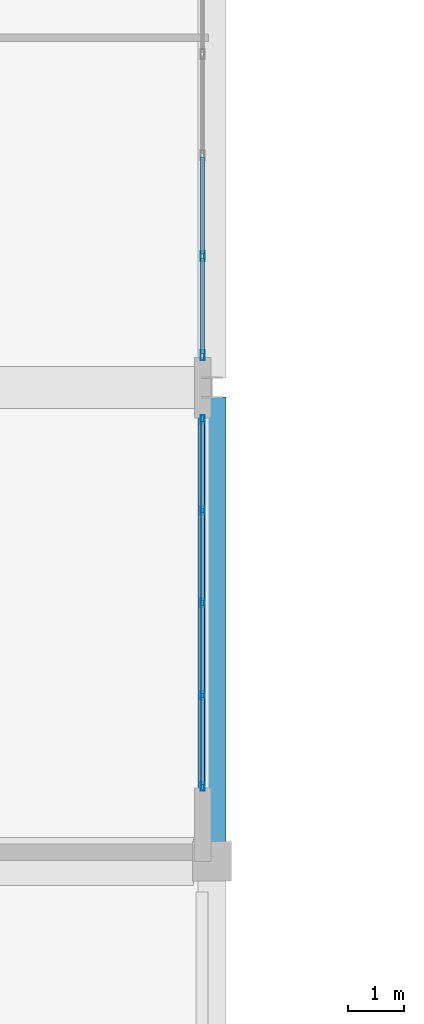
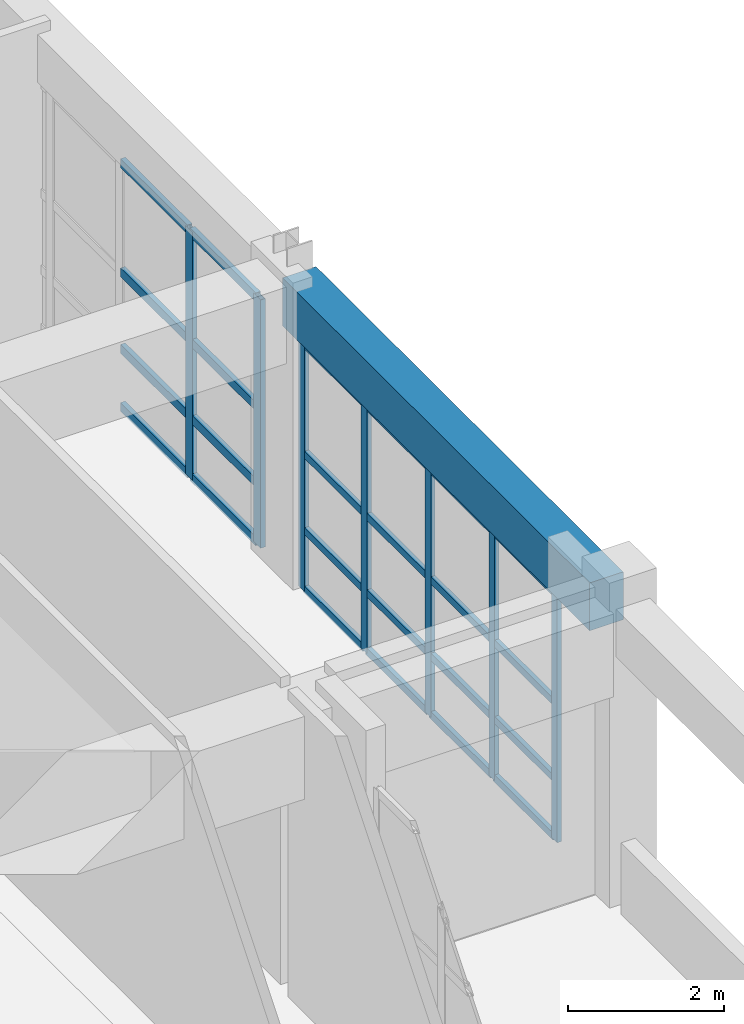
# One storey, part 17 of 78: 31 members, 1 beam, 2 elements without a shape of their own.
"""IFC4 building model written with IfcOpenShell, lengths in metres."""

import ifcopenshell
import ifcopenshell.guid

model = None  # the IFC model being written
_history = None  # IfcOwnerHistory: only IFC2X3 demands one
_inside = {}  # id of a spatial element -> (the spatial element, [elements in it])
_under = {}  # id of a project, library or spatial element -> (it, [spatial elements below it])
_declared = {}  # id of a project -> (the project, [libraries it declares])
_typed = {}  # id of a type object -> (the type object, [elements of that type])
_made_of = {}  # id of a material, layer set ... -> (it, [elements and type objects made of it])


def new_model(schema):
    """Start an empty IFC model of exactly this schema.

    Asked for "IFC4X3", IfcOpenShell would pick the latest addendum, in which some entities
    have other attributes; the version numbers below select the first issue.
    IFC2X3 requires an IfcOwnerHistory on every rooted entity: one is made here for all.
    """
    global model, _history
    if schema == "IFC4X3":
        model = ifcopenshell.file(schema_version=(4, 3, 0, 0))
    else:
        model = ifcopenshell.file(schema=schema)
    _inside.clear()
    _under.clear()
    _declared.clear()
    _typed.clear()
    _made_of.clear()
    _history = None
    if model.schema == "IFC2X3":
        org = make("IfcOrganization", Name="unknown")
        user = make(
            "IfcPersonAndOrganization",
            ThePerson=make("IfcPerson", FamilyName="unknown"),
            TheOrganization=org,
        )
        app = make(
            "IfcApplication",
            ApplicationDeveloper=org,
            Version="unknown",
            ApplicationFullName="unknown",
            ApplicationIdentifier="unknown",
        )
        _history = make(
            "IfcOwnerHistory",
            OwningUser=user,
            OwningApplication=app,
            ChangeAction="ADDED",
            CreationDate=0,
        )
    return model


def make(cls, **values):
    """One entity of the class cls with the attributes given. An attribute that is None is left unset."""
    return model.create_entity(
        cls, **{name: value for name, value in values.items() if value is not None}
    )


def rooted(cls, **values):
    """An entity with a GlobalId (a new one), such as an element, a storey or a relation."""
    return make(cls, GlobalId=ifcopenshell.guid.new(), OwnerHistory=_history, **values)


def si_unit(unit_type, name, prefix=None):
    """IfcSIUnit, for example si_unit("LENGTHUNIT", "METRE", prefix="MILLI")."""
    return make("IfcSIUnit", UnitType=unit_type, Prefix=prefix, Name=name)


def assignment(units):
    """IfcUnitAssignment: the units of a project."""
    return None if units is None else make("IfcUnitAssignment", Units=units)


def point(xyz):
    """IfcCartesianPoint."""
    return None if xyz is None else make("IfcCartesianPoint", Coordinates=xyz)


def direction(xyz):
    """IfcDirection."""
    return None if xyz is None else make("IfcDirection", DirectionRatios=xyz)


def frame(location, z_axis=None, x_axis=None):
    """IfcAxis2Placement3D, a coordinate frame: its origin and axes. An axis left out is left unset."""
    return make(
        "IfcAxis2Placement3D",
        Location=point(location),
        Axis=direction(z_axis),
        RefDirection=direction(x_axis),
    )


def frame_2d(location, x_axis=None):
    """IfcAxis2Placement2D, a coordinate frame in the plane: its origin and x axis."""
    return make(
        "IfcAxis2Placement2D", Location=point(location), RefDirection=direction(x_axis)
    )


def origin():
    """The frame at (0, 0, 0) with its axes left unset."""
    return frame((0.0, 0.0, 0.0))


def origin_2d():
    """The frame at (0, 0) in the plane with its x axis left unset."""
    return frame_2d((0.0, 0.0))


def place(relative_to, where):
    """IfcLocalPlacement: puts the frame where relative to a parent placement (None: the world)."""
    return make(
        "IfcLocalPlacement", PlacementRelTo=relative_to, RelativePlacement=where
    )


def context(
    kind, dimensions, precision=None, world=None, true_north=None, identifier=None
):
    """IfcGeometricRepresentationContext, for example the 3D "Model" context."""
    return make(
        "IfcGeometricRepresentationContext",
        ContextIdentifier=identifier,
        ContextType=kind,
        CoordinateSpaceDimension=dimensions,
        Precision=precision,
        WorldCoordinateSystem=world,
        TrueNorth=true_north,
    )


def subcontext(parent, identifier, kind, view, scale=None):
    """IfcGeometricRepresentationSubContext, for example "Body" below "Model"."""
    return make(
        "IfcGeometricRepresentationSubContext",
        ContextIdentifier=identifier,
        ContextType=kind,
        ParentContext=parent,
        TargetScale=scale,
        TargetView=view,
    )


def project(units=None, contexts=None):
    """IfcProject with its units and contexts."""
    return rooted(
        "IfcProject",
        Name="project",
        RepresentationContexts=contexts,
        UnitsInContext=assignment(units),
    )


def spatial(cls, under=None, at=None, **own):
    """A site, building, storey or space (cls), placed at a placement, below another one or the project."""
    s = rooted(cls, ObjectPlacement=at, **own)
    if under is not None:
        _under.setdefault(under.id(), (under, []))[1].append(s)
    return s


def profile(cls, at=None, kind="AREA", **sizes):
    """A parametric profile (cls). Its sizes go by their IFC names, for example OverallWidth=200.0."""
    return make(cls, ProfileType=kind, Position=at, **sizes)


def rectangle(**sizes):
    """IfcRectangleProfileDef."""
    return profile("IfcRectangleProfileDef", **sizes)


def hollow_rectangle(**sizes):
    """IfcRectangleHollowProfileDef."""
    return profile("IfcRectangleHollowProfileDef", **sizes)


def extrude(swept, where, along, depth):
    """IfcExtrudedAreaSolid: the profile swept, set in the frame where, extruded along a direction by depth."""
    return make(
        "IfcExtrudedAreaSolid",
        SweptArea=swept,
        Position=where,
        ExtrudedDirection=direction(along),
        Depth=depth,
    )


def shape(context_of_items, identifier, shape_type, items):
    """IfcShapeRepresentation: the items that make up one representation, for example the "Body"."""
    return make(
        "IfcShapeRepresentation",
        ContextOfItems=context_of_items,
        RepresentationIdentifier=identifier,
        RepresentationType=shape_type,
        Items=items,
    )


def material(Name=None, Category=None):
    """IfcMaterial."""
    return make("IfcMaterial", Name=Name, Category=Category)


def layer(
    of_material, thickness, ventilated=None, Name=None, Category=None, Priority=None
):
    """IfcMaterialLayer: one layer of a wall or slab, of a material (None: an air gap)."""
    return make(
        "IfcMaterialLayer",
        Material=of_material,
        LayerThickness=thickness,
        IsVentilated=ventilated,
        Name=Name,
        Category=Category,
        Priority=Priority,
    )


def layer_set(layers, Name=None):
    """IfcMaterialLayerSet."""
    return make("IfcMaterialLayerSet", MaterialLayers=layers, LayerSetName=Name)


def material_profile(
    of_material, cross_section, Name=None, Category=None, Priority=None
):
    """IfcMaterialProfile: a cross section and its material."""
    return make(
        "IfcMaterialProfile",
        Name=Name,
        Material=of_material,
        Profile=cross_section,
        Priority=Priority,
        Category=Category,
    )


def profile_set(profiles, Name=None, composite=None):
    """IfcMaterialProfileSet."""
    return make(
        "IfcMaterialProfileSet",
        Name=Name,
        MaterialProfiles=profiles,
        CompositeProfile=composite,
    )


def made_of(thing, what):
    """Note that an element or type object is made of a material, layer set ...; save() writes the relation."""
    if what is not None:
        _made_of.setdefault(what.id(), (what, []))[1].append(thing)
    return thing


def type_object(cls, material=None, **own):
    """A type object (cls), such as IfcWallType, which elements share."""
    return made_of(rooted(cls, **own), material)


def element(
    cls,
    number,
    at=None,
    inside=None,
    cuts=None,
    type_object=None,
    material=None,
    context=None,
    identifier="Body",
    shape_type=None,
    held_by="IfcProductDefinitionShape",
    body=None,
    shapes=None,
    **own,
):
    """One element of the class cls, such as IfcWall. Its Tag is "e" and its number.

    at: its placement. inside: the storey or other place that contains it. cuts: it is an
    opening in that element (IfcRelVoidsElement). A single representation is given by context,
    identifier, shape_type and body (its items); several are given by shapes. held_by: the class
    of the entity that holds the representations. save() writes the other relations.
    """
    e = rooted(cls, Tag="e%d" % number, ObjectPlacement=at, **own)
    if body is not None:
        shapes = [shape(context, identifier, shape_type, body)]
    if shapes is not None:
        e.Representation = make(held_by, Representations=shapes)
    if inside is not None:
        _inside.setdefault(inside.id(), (inside, []))[1].append(e)
    if cuts is not None:
        rooted(
            "IfcRelVoidsElement", RelatingBuildingElement=cuts, RelatedOpeningElement=e
        )
    if type_object is not None:
        _typed.setdefault(type_object.id(), (type_object, []))[1].append(e)
    return made_of(e, material)


def aggregate(whole, parts):
    """IfcRelAggregates: a whole, such as a stair, and the parts it consists of."""
    return rooted("IfcRelAggregates", RelatingObject=whole, RelatedObjects=parts)


def save(model, path):
    """Write the relations noted so far, then the file.

    IfcRelAggregates (storeys below a building ...), IfcRelContainedInSpatialStructure (elements
    in a storey), IfcRelDefinesByType, IfcRelAssociatesMaterial and IfcRelDeclares: one each for
    every whole, place, type object, material and project.
    """
    for whole, parts in _under.values():
        aggregate(whole, parts)
    for where, things in _inside.values():
        rooted(
            "IfcRelContainedInSpatialStructure",
            RelatedElements=things,
            RelatingStructure=where,
        )
    for kind, things in _typed.values():
        rooted("IfcRelDefinesByType", RelatedObjects=things, RelatingType=kind)
    for what, things in _made_of.values():
        rooted("IfcRelAssociatesMaterial", RelatedObjects=things, RelatingMaterial=what)
    for by, libraries in _declared.values():
        rooted("IfcRelDeclares", RelatingContext=by, RelatedDefinitions=libraries)
    model.write(path)


model = new_model("IFC4")

# Units and contexts
model_context = context("Model", 3, precision=1e-05, world=origin(), true_north=direction((0.0, 1.0)))
body_context = subcontext(model_context, "Body", "Model", "MODEL_VIEW")
ifc_project = project(units=[si_unit("LENGTHUNIT", "METRE"), si_unit("AREAUNIT", "SQUARE_METRE"), si_unit("VOLUMEUNIT", "CUBIC_METRE"), si_unit("PLANEANGLEUNIT", "RADIAN"), si_unit("MASSUNIT", "GRAM", prefix="KILO")], contexts=[model_context])

# Site, building, storey
site_placement = place(None, origin())
site = spatial("IfcSite", under=ifc_project, at=site_placement, CompositionType="ELEMENT")
building_placement = place(site_placement, origin())
building = spatial("IfcBuilding", under=site, at=building_placement, Name="Quendrovan Civic Courthouse", CompositionType="ELEMENT")
storey_placement = place(building_placement, frame((0.0, 0.0, 10.199951171875)))
storey = spatial("IfcBuildingStorey", under=building, at=storey_placement, Name="L03", CompositionType="ELEMENT", Elevation=10.199951171875)

# Beam
ifc_material_1 = material(Name="Concrete C40/50", Category="concrete")
ifc_material_profile_1 = material_profile(ifc_material_1, rectangle(XDim=0.5, YDim=0.75, at=origin_2d()), Name="RC-BM-500x750")
ifc_profile_set_1 = profile_set([ifc_material_profile_1], Name="Concrete C40/50")
beam_type = type_object("IfcBeamType", Name="BM-RC750", PredefinedType="SPANDREL", material=ifc_profile_set_1)
beam_placement = place(storey_placement, frame((16.800048828125, 31.530029296875, 4.28515625), z_axis=(0.0, 1.0, 0.0), x_axis=(-1.0, 0.0, 0.0)))
element("IfcBeam", 1, at=beam_placement, inside=storey, type_object=beam_type, Name="L03 Girder Y0812", PredefinedType="SPANDREL", context=body_context, shape_type="SweptSolid", body=[
    extrude(rectangle(XDim=0.5, YDim=0.75, at=origin_2d()), origin(), (0.0, 0.0, 1.0), 7.904052734375),
])

# Curtain wall, members
ifc_material_2 = material(Name="Bronze anodised aluminium and low-E glass", Category="aluminium")
ifc_layer_1 = layer(ifc_material_2, 0.179931640625, Name="Bronze anodised aluminium and low-E glass")
ifc_layer_set_1 = layer_set([ifc_layer_1], Name="Bronze anodised aluminium and low-E glass")
curtain_wall_type_1 = type_object("IfcCurtainWallType", Name="CW-U72x39", PredefinedType="USERDEFINED", material=ifc_layer_set_1)
curtain_wall_1_placement = place(storey_placement, origin())
curtain_wall_1 = element("IfcCurtainWall", 2, at=curtain_wall_1_placement, inside=storey, type_object=curtain_wall_type_1, Name="L03 Unitised Hurricane Curtain Wall CW-124", ObjectType="UNITISED CURTAIN WALL", PredefinedType="USERDEFINED")
ifc_material_3 = material(Name="Bronze anodised aluminium", Category="aluminium")
ifc_material_profile_2 = material_profile(ifc_material_3, hollow_rectangle(XDim=0.070068359375, YDim=0.179931640625, WallThickness=0.00390625, at=origin_2d()), Name="CW-MULL-70x180")
ifc_profile_set_2 = profile_set([ifc_material_profile_2], Name="Bronze anodised aluminium")
member_type_1 = type_object("IfcMemberType", Name="CW-MULL-A", PredefinedType="MULLION", material=ifc_profile_set_2)
member_1_placement = place(storey_placement, frame((16.635009765625, 41.927734375, 0.0), z_axis=(0.0, 0.0, 1.0), x_axis=(1.0, 0.0, 0.0)))
member_1 = element("IfcMember", 3, at=member_1_placement, type_object=member_type_1, Name="CW-124 mullion 4", PredefinedType="MULLION", context=body_context, shape_type="SweptSolid", body=[
    extrude(hollow_rectangle(XDim=0.070068359375, YDim=0.179931640625, WallThickness=0.00390625, at=origin_2d()), origin(), (0.0, 0.0, 1.0), 3.900146484375),
])
member_2_placement = place(storey_placement, frame((16.635009765625, 40.172119140625, 0.0), z_axis=(0.0, 0.0, 1.0), x_axis=(1.0, 0.0, 0.0)))
member_2 = element("IfcMember", 4, at=member_2_placement, type_object=member_type_1, Name="CW-124 mullion 5", PredefinedType="MULLION", context=body_context, shape_type="SweptSolid", body=[
    extrude(hollow_rectangle(XDim=0.070068359375, YDim=0.179931640625, WallThickness=0.00390625, at=origin_2d()), origin(), (0.0, 0.0, 1.0), 3.900146484375),
])

ifc_layer_2 = layer(ifc_material_2, 0.179931640625, Name="Bronze anodised aluminium and low-E glass")
ifc_layer_set_2 = layer_set([ifc_layer_2], Name="Bronze anodised aluminium and low-E glass")
curtain_wall_type_2 = type_object("IfcCurtainWallType", Name="CW-U66x39", PredefinedType="USERDEFINED", material=ifc_layer_set_2)
curtain_wall_2_placement = place(storey_placement, origin())
curtain_wall_2 = element("IfcCurtainWall", 5, at=curtain_wall_2_placement, inside=storey, type_object=curtain_wall_type_2, Name="L03 Unitised Hurricane Curtain Wall CW-125", ObjectType="UNITISED CURTAIN WALL", PredefinedType="USERDEFINED")
ifc_material_profile_3 = material_profile(ifc_material_3, hollow_rectangle(XDim=0.06494140625, YDim=0.14990234375, WallThickness=0.00390625, at=origin_2d()), Name="CW-MULL-65x150")
ifc_profile_set_3 = profile_set([ifc_material_profile_3], Name="Bronze anodised aluminium")
member_type_2 = type_object("IfcMemberType", Name="CW-MULL-B", PredefinedType="MULLION", material=ifc_profile_set_3)
member_3_placement = place(storey_placement, frame((16.635009765625, 39.030517578125, 0.0), z_axis=(0.0, 0.0, 1.0), x_axis=(1.0, 0.0, 0.0)))
member_3 = element("IfcMember", 6, at=member_3_placement, type_object=member_type_2, Name="CW-125 mullion 1", PredefinedType="MULLION", context=body_context, shape_type="SweptSolid", body=[
    extrude(hollow_rectangle(XDim=0.06494140625, YDim=0.14990234375, WallThickness=0.00390625, at=origin_2d()), origin(), (0.0, 0.0, 1.0), 3.900146484375),
])
member_4_placement = place(storey_placement, frame((16.635009765625, 37.42236328125, 0.0), z_axis=(0.0, 0.0, 1.0), x_axis=(1.0, 0.0, 0.0)))
member_4 = element("IfcMember", 7, at=member_4_placement, type_object=member_type_2, Name="CW-125 mullion 2", PredefinedType="MULLION", context=body_context, shape_type="SweptSolid", body=[
    extrude(hollow_rectangle(XDim=0.06494140625, YDim=0.14990234375, WallThickness=0.00390625, at=origin_2d()), origin(), (0.0, 0.0, 1.0), 3.900146484375),
])
member_5_placement = place(storey_placement, frame((16.635009765625, 35.781494140625, 0.0), z_axis=(0.0, 0.0, 1.0), x_axis=(1.0, 0.0, 0.0)))
member_5 = element("IfcMember", 8, at=member_5_placement, type_object=member_type_2, Name="CW-125 mullion 3", PredefinedType="MULLION", context=body_context, shape_type="SweptSolid", body=[
    extrude(hollow_rectangle(XDim=0.06494140625, YDim=0.14990234375, WallThickness=0.00390625, at=origin_2d()), origin(), (0.0, 0.0, 1.0), 3.900146484375),
])
member_6_placement = place(storey_placement, frame((16.635009765625, 34.140869140625, 0.0), z_axis=(0.0, 0.0, 1.0), x_axis=(1.0, 0.0, 0.0)))
member_6 = element("IfcMember", 9, at=member_6_placement, type_object=member_type_2, Name="CW-125 mullion 4", PredefinedType="MULLION", context=body_context, shape_type="SweptSolid", body=[
    extrude(hollow_rectangle(XDim=0.06494140625, YDim=0.14990234375, WallThickness=0.00390625, at=origin_2d()), origin(), (0.0, 0.0, 1.0), 3.900146484375),
])
member_7_placement = place(storey_placement, frame((16.635009765625, 32.532470703125, 0.0), z_axis=(0.0, 0.0, 1.0), x_axis=(1.0, 0.0, 0.0)))
member_7 = element("IfcMember", 10, at=member_7_placement, type_object=member_type_2, Name="CW-125 mullion 5", PredefinedType="MULLION", context=body_context, shape_type="SweptSolid", body=[
    extrude(hollow_rectangle(XDim=0.06494140625, YDim=0.14990234375, WallThickness=0.00390625, at=origin_2d()), origin(), (0.0, 0.0, 1.0), 3.900146484375),
])

# Member
ifc_material_profile_4 = material_profile(ifc_material_3, hollow_rectangle(XDim=0.070068359375, YDim=0.139892578125, WallThickness=0.00390625, at=origin_2d()), Name="CW-TRAN-70x140")
ifc_profile_set_4 = profile_set([ifc_material_profile_4], Name="Bronze anodised aluminium")
member_type_3 = type_object("IfcMemberType", Name="CW-TRAN-A", PredefinedType="USERDEFINED", material=ifc_profile_set_4)
member_8_placement = place(storey_placement, frame((16.635009765625, 43.68359375, 0.03515625), z_axis=(0.0, -1.0, 0.0), x_axis=(1.0, 0.0, 0.0)))
member_8 = element("IfcMember", 11, at=member_8_placement, type_object=member_type_3, Name="CW-124 transom 3.1", ObjectType="TRANSOM", PredefinedType="USERDEFINED", context=body_context, shape_type="SweptSolid", body=[
    extrude(hollow_rectangle(XDim=0.070068359375, YDim=0.139892578125, WallThickness=0.00390625, at=origin_2d()), origin(), (0.0, 0.0, 1.0), 1.720947265625),
])

member_9_placement = place(storey_placement, frame((16.635009765625, 43.68359375, 0.949951171875), z_axis=(0.0, -1.0, 0.0), x_axis=(1.0, 0.0, 0.0)))
member_9 = element("IfcMember", 12, at=member_9_placement, type_object=member_type_3, Name="CW-124 transom 3.2", ObjectType="TRANSOM", PredefinedType="USERDEFINED", context=body_context, shape_type="SweptSolid", body=[
    extrude(hollow_rectangle(XDim=0.070068359375, YDim=0.139892578125, WallThickness=0.00390625, at=origin_2d()), origin(), (0.0, 0.0, 1.0), 1.720947265625),
])

member_10_placement = place(storey_placement, frame((16.635009765625, 43.68359375, 2.150146484375), z_axis=(0.0, -1.0, 0.0), x_axis=(1.0, 0.0, 0.0)))
member_10 = element("IfcMember", 13, at=member_10_placement, type_object=member_type_3, Name="CW-124 transom 3.3", ObjectType="TRANSOM", PredefinedType="USERDEFINED", context=body_context, shape_type="SweptSolid", body=[
    extrude(hollow_rectangle(XDim=0.070068359375, YDim=0.139892578125, WallThickness=0.00390625, at=origin_2d()), origin(), (0.0, 0.0, 1.0), 1.720947265625),
])

member_11_placement = place(storey_placement, frame((16.635009765625, 43.68359375, 3.864990234375), z_axis=(0.0, -1.0, 0.0), x_axis=(1.0, 0.0, 0.0)))
member_11 = element("IfcMember", 14, at=member_11_placement, type_object=member_type_3, Name="CW-124 transom 3.4", ObjectType="TRANSOM", PredefinedType="USERDEFINED", context=body_context, shape_type="SweptSolid", body=[
    extrude(hollow_rectangle(XDim=0.070068359375, YDim=0.139892578125, WallThickness=0.00390625, at=origin_2d()), origin(), (0.0, 0.0, 1.0), 1.720947265625),
])

member_12_placement = place(storey_placement, frame((16.635009765625, 41.892822265625, 0.03515625), z_axis=(0.0, -1.0, 0.0), x_axis=(1.0, 0.0, 0.0)))
member_12 = element("IfcMember", 15, at=member_12_placement, type_object=member_type_3, Name="CW-124 transom 4.1", ObjectType="TRANSOM", PredefinedType="USERDEFINED", context=body_context, shape_type="SweptSolid", body=[
    extrude(hollow_rectangle(XDim=0.070068359375, YDim=0.139892578125, WallThickness=0.00390625, at=origin_2d()), origin(), (0.0, 0.0, 1.0), 1.685791015625),
])

member_13_placement = place(storey_placement, frame((16.635009765625, 41.892822265625, 0.949951171875), z_axis=(0.0, -1.0, 0.0), x_axis=(1.0, 0.0, 0.0)))
member_13 = element("IfcMember", 16, at=member_13_placement, type_object=member_type_3, Name="CW-124 transom 4.2", ObjectType="TRANSOM", PredefinedType="USERDEFINED", context=body_context, shape_type="SweptSolid", body=[
    extrude(hollow_rectangle(XDim=0.070068359375, YDim=0.139892578125, WallThickness=0.00390625, at=origin_2d()), origin(), (0.0, 0.0, 1.0), 1.685791015625),
])

member_14_placement = place(storey_placement, frame((16.635009765625, 41.892822265625, 2.150146484375), z_axis=(0.0, -1.0, 0.0), x_axis=(1.0, 0.0, 0.0)))
member_14 = element("IfcMember", 17, at=member_14_placement, type_object=member_type_3, Name="CW-124 transom 4.3", ObjectType="TRANSOM", PredefinedType="USERDEFINED", context=body_context, shape_type="SweptSolid", body=[
    extrude(hollow_rectangle(XDim=0.070068359375, YDim=0.139892578125, WallThickness=0.00390625, at=origin_2d()), origin(), (0.0, 0.0, 1.0), 1.685791015625),
])

member_15_placement = place(storey_placement, frame((16.635009765625, 41.892822265625, 3.864990234375), z_axis=(0.0, -1.0, 0.0), x_axis=(1.0, 0.0, 0.0)))
member_15 = element("IfcMember", 18, at=member_15_placement, type_object=member_type_3, Name="CW-124 transom 4.4", ObjectType="TRANSOM", PredefinedType="USERDEFINED", context=body_context, shape_type="SweptSolid", body=[
    extrude(hollow_rectangle(XDim=0.070068359375, YDim=0.139892578125, WallThickness=0.00390625, at=origin_2d()), origin(), (0.0, 0.0, 1.0), 1.685791015625),
])

aggregate(curtain_wall_1, [member_1, member_2, member_8, member_9, member_10, member_11, member_12, member_13, member_14, member_15])

ifc_material_profile_5 = material_profile(ifc_material_3, hollow_rectangle(XDim=0.06494140625, YDim=0.114990234375, WallThickness=0.00390625, at=origin_2d()), Name="CW-TRAN-65x115")
ifc_profile_set_5 = profile_set([ifc_material_profile_5], Name="Bronze anodised aluminium")
member_type_4 = type_object("IfcMemberType", Name="CW-TRAN-B", PredefinedType="USERDEFINED", material=ifc_profile_set_5)
member_16_placement = place(storey_placement, frame((16.635009765625, 38.998046875, 0.032470703125), z_axis=(0.0, -1.0, 0.0), x_axis=(1.0, 0.0, 0.0)))
member_16 = element("IfcMember", 19, at=member_16_placement, type_object=member_type_4, Name="CW-125 transom 1.1", ObjectType="TRANSOM", PredefinedType="USERDEFINED", context=body_context, shape_type="SweptSolid", body=[
    extrude(hollow_rectangle(XDim=0.06494140625, YDim=0.114990234375, WallThickness=0.00390625, at=origin_2d()), origin(), (0.0, 0.0, 1.0), 1.543212890625),
])

member_17_placement = place(storey_placement, frame((16.635009765625, 38.998046875, 0.949951171875), z_axis=(0.0, -1.0, 0.0), x_axis=(1.0, 0.0, 0.0)))
member_17 = element("IfcMember", 20, at=member_17_placement, type_object=member_type_4, Name="CW-125 transom 1.2", ObjectType="TRANSOM", PredefinedType="USERDEFINED", context=body_context, shape_type="SweptSolid", body=[
    extrude(hollow_rectangle(XDim=0.06494140625, YDim=0.114990234375, WallThickness=0.00390625, at=origin_2d()), origin(), (0.0, 0.0, 1.0), 1.543212890625),
])

member_18_placement = place(storey_placement, frame((16.635009765625, 38.998046875, 2.150146484375), z_axis=(0.0, -1.0, 0.0), x_axis=(1.0, 0.0, 0.0)))
member_18 = element("IfcMember", 21, at=member_18_placement, type_object=member_type_4, Name="CW-125 transom 1.3", ObjectType="TRANSOM", PredefinedType="USERDEFINED", context=body_context, shape_type="SweptSolid", body=[
    extrude(hollow_rectangle(XDim=0.06494140625, YDim=0.114990234375, WallThickness=0.00390625, at=origin_2d()), origin(), (0.0, 0.0, 1.0), 1.543212890625),
])

member_19_placement = place(storey_placement, frame((16.635009765625, 38.998046875, 3.867431640625), z_axis=(0.0, -1.0, 0.0), x_axis=(1.0, 0.0, 0.0)))
member_19 = element("IfcMember", 22, at=member_19_placement, type_object=member_type_4, Name="CW-125 transom 1.4", ObjectType="TRANSOM", PredefinedType="USERDEFINED", context=body_context, shape_type="SweptSolid", body=[
    extrude(hollow_rectangle(XDim=0.06494140625, YDim=0.114990234375, WallThickness=0.00390625, at=origin_2d()), origin(), (0.0, 0.0, 1.0), 1.543212890625),
])

member_20_placement = place(storey_placement, frame((16.635009765625, 37.3896484375, 0.032470703125), z_axis=(0.0, -1.0, 0.0), x_axis=(1.0, 0.0, 0.0)))
member_20 = element("IfcMember", 23, at=member_20_placement, type_object=member_type_4, Name="CW-125 transom 2.1", ObjectType="TRANSOM", PredefinedType="USERDEFINED", context=body_context, shape_type="SweptSolid", body=[
    extrude(hollow_rectangle(XDim=0.06494140625, YDim=0.114990234375, WallThickness=0.00390625, at=origin_2d()), origin(), (0.0, 0.0, 1.0), 1.57568359375),
])

member_21_placement = place(storey_placement, frame((16.635009765625, 37.3896484375, 0.949951171875), z_axis=(0.0, -1.0, 0.0), x_axis=(1.0, 0.0, 0.0)))
member_21 = element("IfcMember", 24, at=member_21_placement, type_object=member_type_4, Name="CW-125 transom 2.2", ObjectType="TRANSOM", PredefinedType="USERDEFINED", context=body_context, shape_type="SweptSolid", body=[
    extrude(hollow_rectangle(XDim=0.06494140625, YDim=0.114990234375, WallThickness=0.00390625, at=origin_2d()), origin(), (0.0, 0.0, 1.0), 1.57568359375),
])

member_22_placement = place(storey_placement, frame((16.635009765625, 37.3896484375, 2.150146484375), z_axis=(0.0, -1.0, 0.0), x_axis=(1.0, 0.0, 0.0)))
member_22 = element("IfcMember", 25, at=member_22_placement, type_object=member_type_4, Name="CW-125 transom 2.3", ObjectType="TRANSOM", PredefinedType="USERDEFINED", context=body_context, shape_type="SweptSolid", body=[
    extrude(hollow_rectangle(XDim=0.06494140625, YDim=0.114990234375, WallThickness=0.00390625, at=origin_2d()), origin(), (0.0, 0.0, 1.0), 1.57568359375),
])

member_23_placement = place(storey_placement, frame((16.635009765625, 37.3896484375, 3.867431640625), z_axis=(0.0, -1.0, 0.0), x_axis=(1.0, 0.0, 0.0)))
member_23 = element("IfcMember", 26, at=member_23_placement, type_object=member_type_4, Name="CW-125 transom 2.4", ObjectType="TRANSOM", PredefinedType="USERDEFINED", context=body_context, shape_type="SweptSolid", body=[
    extrude(hollow_rectangle(XDim=0.06494140625, YDim=0.114990234375, WallThickness=0.00390625, at=origin_2d()), origin(), (0.0, 0.0, 1.0), 1.57568359375),
])

member_24_placement = place(storey_placement, frame((16.635009765625, 35.7490234375, 0.032470703125), z_axis=(0.0, -1.0, 0.0), x_axis=(1.0, 0.0, 0.0)))
member_24 = element("IfcMember", 27, at=member_24_placement, type_object=member_type_4, Name="CW-125 transom 3.1", ObjectType="TRANSOM", PredefinedType="USERDEFINED", context=body_context, shape_type="SweptSolid", body=[
    extrude(hollow_rectangle(XDim=0.06494140625, YDim=0.114990234375, WallThickness=0.00390625, at=origin_2d()), origin(), (0.0, 0.0, 1.0), 1.57568359375),
])

member_25_placement = place(storey_placement, frame((16.635009765625, 35.7490234375, 0.949951171875), z_axis=(0.0, -1.0, 0.0), x_axis=(1.0, 0.0, 0.0)))
member_25 = element("IfcMember", 28, at=member_25_placement, type_object=member_type_4, Name="CW-125 transom 3.2", ObjectType="TRANSOM", PredefinedType="USERDEFINED", context=body_context, shape_type="SweptSolid", body=[
    extrude(hollow_rectangle(XDim=0.06494140625, YDim=0.114990234375, WallThickness=0.00390625, at=origin_2d()), origin(), (0.0, 0.0, 1.0), 1.57568359375),
])

member_26_placement = place(storey_placement, frame((16.635009765625, 35.7490234375, 2.150146484375), z_axis=(0.0, -1.0, 0.0), x_axis=(1.0, 0.0, 0.0)))
member_26 = element("IfcMember", 29, at=member_26_placement, type_object=member_type_4, Name="CW-125 transom 3.3", ObjectType="TRANSOM", PredefinedType="USERDEFINED", context=body_context, shape_type="SweptSolid", body=[
    extrude(hollow_rectangle(XDim=0.06494140625, YDim=0.114990234375, WallThickness=0.00390625, at=origin_2d()), origin(), (0.0, 0.0, 1.0), 1.57568359375),
])

member_27_placement = place(storey_placement, frame((16.635009765625, 35.7490234375, 3.867431640625), z_axis=(0.0, -1.0, 0.0), x_axis=(1.0, 0.0, 0.0)))
member_27 = element("IfcMember", 30, at=member_27_placement, type_object=member_type_4, Name="CW-125 transom 3.4", ObjectType="TRANSOM", PredefinedType="USERDEFINED", context=body_context, shape_type="SweptSolid", body=[
    extrude(hollow_rectangle(XDim=0.06494140625, YDim=0.114990234375, WallThickness=0.00390625, at=origin_2d()), origin(), (0.0, 0.0, 1.0), 1.57568359375),
])

member_28_placement = place(storey_placement, frame((16.635009765625, 34.108154296875, 0.032470703125), z_axis=(0.0, -1.0, 0.0), x_axis=(1.0, 0.0, 0.0)))
member_28 = element("IfcMember", 31, at=member_28_placement, type_object=member_type_4, Name="CW-125 transom 4.1", ObjectType="TRANSOM", PredefinedType="USERDEFINED", context=body_context, shape_type="SweptSolid", body=[
    extrude(hollow_rectangle(XDim=0.06494140625, YDim=0.114990234375, WallThickness=0.00390625, at=origin_2d()), origin(), (0.0, 0.0, 1.0), 1.543212890625),
])

member_29_placement = place(storey_placement, frame((16.635009765625, 34.108154296875, 0.949951171875), z_axis=(0.0, -1.0, 0.0), x_axis=(1.0, 0.0, 0.0)))
member_29 = element("IfcMember", 32, at=member_29_placement, type_object=member_type_4, Name="CW-125 transom 4.2", ObjectType="TRANSOM", PredefinedType="USERDEFINED", context=body_context, shape_type="SweptSolid", body=[
    extrude(hollow_rectangle(XDim=0.06494140625, YDim=0.114990234375, WallThickness=0.00390625, at=origin_2d()), origin(), (0.0, 0.0, 1.0), 1.543212890625),
])

member_30_placement = place(storey_placement, frame((16.635009765625, 34.108154296875, 2.150146484375), z_axis=(0.0, -1.0, 0.0), x_axis=(1.0, 0.0, 0.0)))
member_30 = element("IfcMember", 33, at=member_30_placement, type_object=member_type_4, Name="CW-125 transom 4.3", ObjectType="TRANSOM", PredefinedType="USERDEFINED", context=body_context, shape_type="SweptSolid", body=[
    extrude(hollow_rectangle(XDim=0.06494140625, YDim=0.114990234375, WallThickness=0.00390625, at=origin_2d()), origin(), (0.0, 0.0, 1.0), 1.543212890625),
])

member_31_placement = place(storey_placement, frame((16.635009765625, 34.108154296875, 3.867431640625), z_axis=(0.0, -1.0, 0.0), x_axis=(1.0, 0.0, 0.0)))
member_31 = element("IfcMember", 34, at=member_31_placement, type_object=member_type_4, Name="CW-125 transom 4.4", ObjectType="TRANSOM", PredefinedType="USERDEFINED", context=body_context, shape_type="SweptSolid", body=[
    extrude(hollow_rectangle(XDim=0.06494140625, YDim=0.114990234375, WallThickness=0.00390625, at=origin_2d()), origin(), (0.0, 0.0, 1.0), 1.543212890625),
])

aggregate(curtain_wall_2, [member_3, member_4, member_5, member_6, member_7, member_16, member_17, member_18, member_19, member_20, member_21, member_22, member_23, member_24, member_25, member_26, member_27, member_28, member_29, member_30, member_31])

save(model, "model.ifc")
